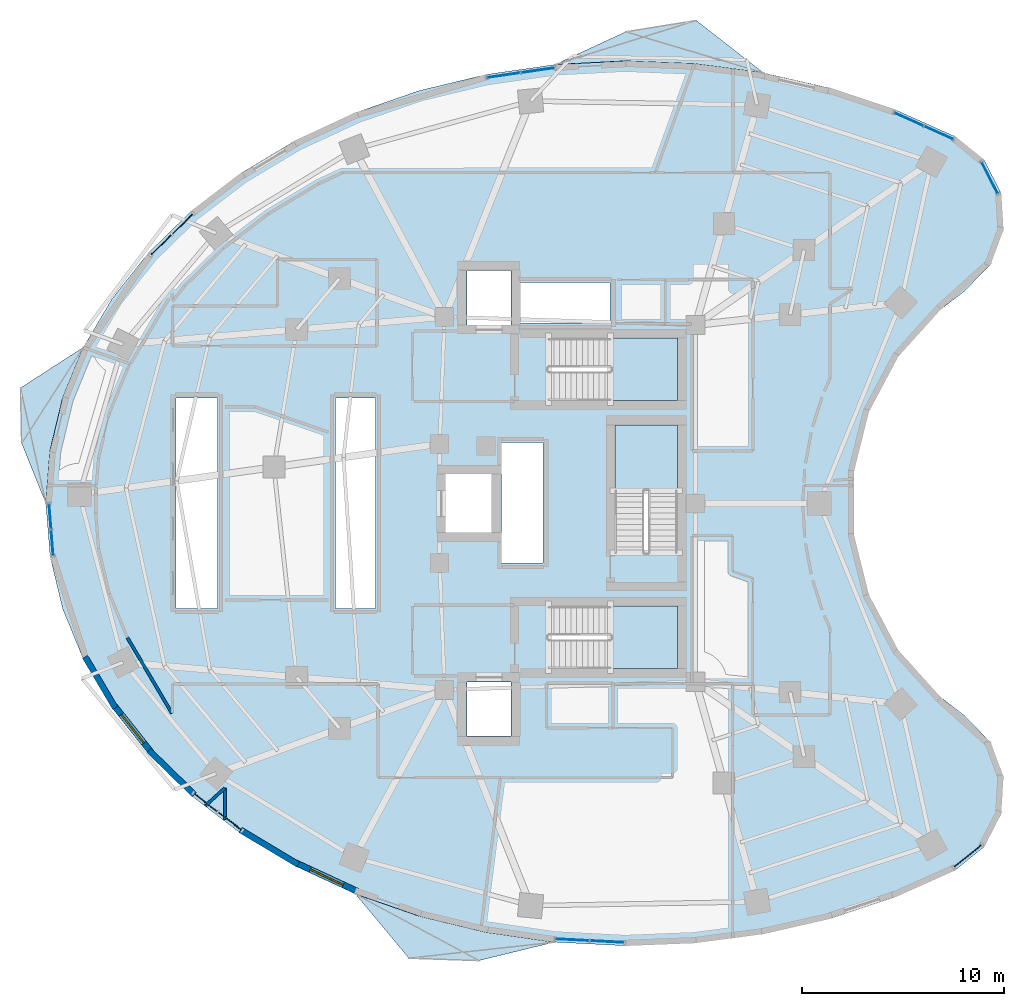
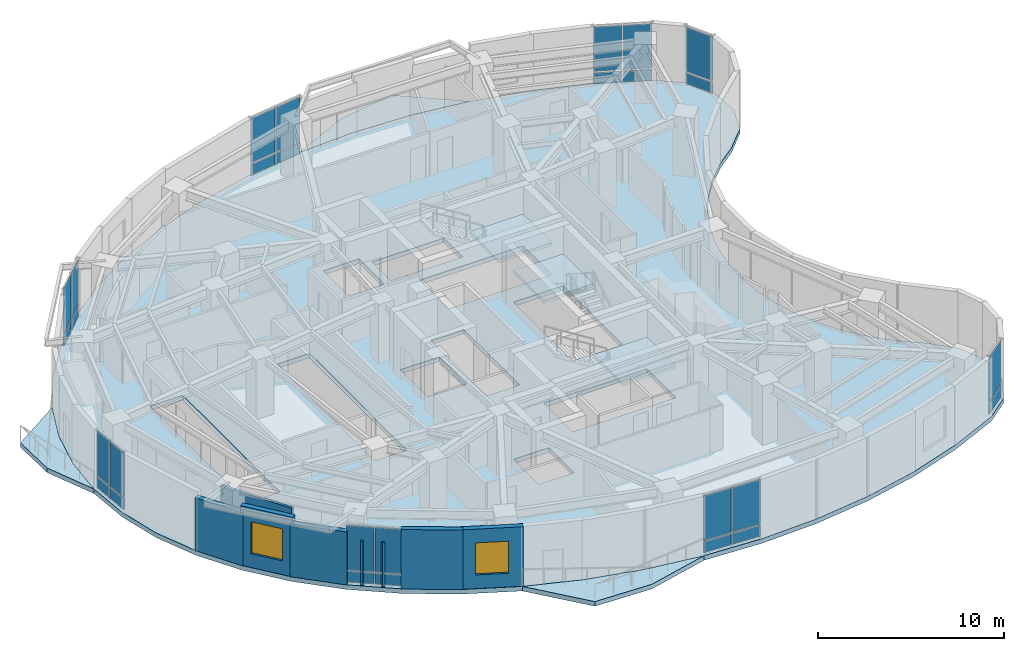
# One storey, part 7 of 15: 28 plates, 8 walls, 7 slabs, 2 windows, 2 openings, 11 elements without a shape of their own.
"""IFC4 building model written with IfcOpenShell, lengths in metres."""

import ifcopenshell
import ifcopenshell.guid

model = None  # the IFC model being written
_history = None  # IfcOwnerHistory: only IFC2X3 demands one
_inside = {}  # id of a spatial element -> (the spatial element, [elements in it])
_under = {}  # id of a project, library or spatial element -> (it, [spatial elements below it])
_declared = {}  # id of a project -> (the project, [libraries it declares])
_typed = {}  # id of a type object -> (the type object, [elements of that type])
_made_of = {}  # id of a material, layer set ... -> (it, [elements and type objects made of it])


def new_model(schema):
    """Start an empty IFC model of exactly this schema.

    Asked for "IFC4X3", IfcOpenShell would pick the latest addendum, in which some entities
    have other attributes; the version numbers below select the first issue.
    IFC2X3 requires an IfcOwnerHistory on every rooted entity: one is made here for all.
    """
    global model, _history
    if schema == "IFC4X3":
        model = ifcopenshell.file(schema_version=(4, 3, 0, 0))
    else:
        model = ifcopenshell.file(schema=schema)
    _inside.clear()
    _under.clear()
    _declared.clear()
    _typed.clear()
    _made_of.clear()
    _history = None
    if model.schema == "IFC2X3":
        org = make("IfcOrganization", Name="unknown")
        user = make(
            "IfcPersonAndOrganization",
            ThePerson=make("IfcPerson", FamilyName="unknown"),
            TheOrganization=org,
        )
        app = make(
            "IfcApplication",
            ApplicationDeveloper=org,
            Version="unknown",
            ApplicationFullName="unknown",
            ApplicationIdentifier="unknown",
        )
        _history = make(
            "IfcOwnerHistory",
            OwningUser=user,
            OwningApplication=app,
            ChangeAction="ADDED",
            CreationDate=0,
        )
    return model


def make(cls, **values):
    """One entity of the class cls with the attributes given. An attribute that is None is left unset."""
    return model.create_entity(
        cls, **{name: value for name, value in values.items() if value is not None}
    )


def rooted(cls, **values):
    """An entity with a GlobalId (a new one), such as an element, a storey or a relation."""
    return make(cls, GlobalId=ifcopenshell.guid.new(), OwnerHistory=_history, **values)


def si_unit(unit_type, name, prefix=None):
    """IfcSIUnit, for example si_unit("LENGTHUNIT", "METRE", prefix="MILLI")."""
    return make("IfcSIUnit", UnitType=unit_type, Prefix=prefix, Name=name)


def assignment(units):
    """IfcUnitAssignment: the units of a project."""
    return None if units is None else make("IfcUnitAssignment", Units=units)


def point(xyz):
    """IfcCartesianPoint."""
    return None if xyz is None else make("IfcCartesianPoint", Coordinates=xyz)


def direction(xyz):
    """IfcDirection."""
    return None if xyz is None else make("IfcDirection", DirectionRatios=xyz)


def frame(location, z_axis=None, x_axis=None):
    """IfcAxis2Placement3D, a coordinate frame: its origin and axes. An axis left out is left unset."""
    return make(
        "IfcAxis2Placement3D",
        Location=point(location),
        Axis=direction(z_axis),
        RefDirection=direction(x_axis),
    )


def frame_2d(location, x_axis=None):
    """IfcAxis2Placement2D, a coordinate frame in the plane: its origin and x axis."""
    return make(
        "IfcAxis2Placement2D", Location=point(location), RefDirection=direction(x_axis)
    )


def origin():
    """The frame at (0, 0, 0) with its axes left unset."""
    return frame((0.0, 0.0, 0.0))


def origin_2d():
    """The frame at (0, 0) in the plane with its x axis left unset."""
    return frame_2d((0.0, 0.0))


def place(relative_to, where):
    """IfcLocalPlacement: puts the frame where relative to a parent placement (None: the world)."""
    return make(
        "IfcLocalPlacement", PlacementRelTo=relative_to, RelativePlacement=where
    )


def context(
    kind, dimensions, precision=None, world=None, true_north=None, identifier=None
):
    """IfcGeometricRepresentationContext, for example the 3D "Model" context."""
    return make(
        "IfcGeometricRepresentationContext",
        ContextIdentifier=identifier,
        ContextType=kind,
        CoordinateSpaceDimension=dimensions,
        Precision=precision,
        WorldCoordinateSystem=world,
        TrueNorth=true_north,
    )


def subcontext(parent, identifier, kind, view, scale=None):
    """IfcGeometricRepresentationSubContext, for example "Body" below "Model"."""
    return make(
        "IfcGeometricRepresentationSubContext",
        ContextIdentifier=identifier,
        ContextType=kind,
        ParentContext=parent,
        TargetScale=scale,
        TargetView=view,
    )


def project(units=None, contexts=None):
    """IfcProject with its units and contexts."""
    return rooted(
        "IfcProject",
        Name="project",
        RepresentationContexts=contexts,
        UnitsInContext=assignment(units),
    )


def spatial(cls, under=None, at=None, **own):
    """A site, building, storey or space (cls), placed at a placement, below another one or the project."""
    s = rooted(cls, ObjectPlacement=at, **own)
    if under is not None:
        _under.setdefault(under.id(), (under, []))[1].append(s)
    return s


def polyline(points):
    """IfcPolyline through the points."""
    return make("IfcPolyline", Points=[point(p) for p in points])


def profile(cls, at=None, kind="AREA", **sizes):
    """A parametric profile (cls). Its sizes go by their IFC names, for example OverallWidth=200.0."""
    return make(cls, ProfileType=kind, Position=at, **sizes)


def rectangle(**sizes):
    """IfcRectangleProfileDef."""
    return profile("IfcRectangleProfileDef", **sizes)


def outline(outer, holes=None, kind="AREA"):
    """IfcArbitraryClosedProfileDef: a profile drawn as a closed curve; with holes, ...WithVoids."""
    if holes is None:
        return make("IfcArbitraryClosedProfileDef", ProfileType=kind, OuterCurve=outer)
    return make(
        "IfcArbitraryProfileDefWithVoids",
        ProfileType=kind,
        OuterCurve=outer,
        InnerCurves=holes,
    )


def extrude(swept, where, along, depth):
    """IfcExtrudedAreaSolid: the profile swept, set in the frame where, extruded along a direction by depth."""
    return make(
        "IfcExtrudedAreaSolid",
        SweptArea=swept,
        Position=where,
        ExtrudedDirection=direction(along),
        Depth=depth,
    )


def shape(context_of_items, identifier, shape_type, items):
    """IfcShapeRepresentation: the items that make up one representation, for example the "Body"."""
    return make(
        "IfcShapeRepresentation",
        ContextOfItems=context_of_items,
        RepresentationIdentifier=identifier,
        RepresentationType=shape_type,
        Items=items,
    )


def material(Name=None, Category=None):
    """IfcMaterial."""
    return make("IfcMaterial", Name=Name, Category=Category)


def layer(
    of_material, thickness, ventilated=None, Name=None, Category=None, Priority=None
):
    """IfcMaterialLayer: one layer of a wall or slab, of a material (None: an air gap)."""
    return make(
        "IfcMaterialLayer",
        Material=of_material,
        LayerThickness=thickness,
        IsVentilated=ventilated,
        Name=Name,
        Category=Category,
        Priority=Priority,
    )


def layer_set(layers, Name=None):
    """IfcMaterialLayerSet."""
    return make("IfcMaterialLayerSet", MaterialLayers=layers, LayerSetName=Name)


def made_of(thing, what):
    """Note that an element or type object is made of a material, layer set ...; save() writes the relation."""
    if what is not None:
        _made_of.setdefault(what.id(), (what, []))[1].append(thing)
    return thing


def type_object(cls, material=None, **own):
    """A type object (cls), such as IfcWallType, which elements share."""
    return made_of(rooted(cls, **own), material)


def element(
    cls,
    number,
    at=None,
    inside=None,
    cuts=None,
    type_object=None,
    material=None,
    context=None,
    identifier="Body",
    shape_type=None,
    held_by="IfcProductDefinitionShape",
    body=None,
    shapes=None,
    **own,
):
    """One element of the class cls, such as IfcWall. Its Tag is "e" and its number.

    at: its placement. inside: the storey or other place that contains it. cuts: it is an
    opening in that element (IfcRelVoidsElement). A single representation is given by context,
    identifier, shape_type and body (its items); several are given by shapes. held_by: the class
    of the entity that holds the representations. save() writes the other relations.
    """
    e = rooted(cls, Tag="e%d" % number, ObjectPlacement=at, **own)
    if body is not None:
        shapes = [shape(context, identifier, shape_type, body)]
    if shapes is not None:
        e.Representation = make(held_by, Representations=shapes)
    if inside is not None:
        _inside.setdefault(inside.id(), (inside, []))[1].append(e)
    if cuts is not None:
        rooted(
            "IfcRelVoidsElement", RelatingBuildingElement=cuts, RelatedOpeningElement=e
        )
    if type_object is not None:
        _typed.setdefault(type_object.id(), (type_object, []))[1].append(e)
    return made_of(e, material)


def fill(opening, filler):
    """IfcRelFillsElement: the door or window that sits in an opening."""
    return rooted(
        "IfcRelFillsElement",
        RelatingOpeningElement=opening,
        RelatedBuildingElement=filler,
    )


def aggregate(whole, parts):
    """IfcRelAggregates: a whole, such as a stair, and the parts it consists of."""
    return rooted("IfcRelAggregates", RelatingObject=whole, RelatedObjects=parts)


def save(model, path):
    """Write the relations noted so far, then the file.

    IfcRelAggregates (storeys below a building ...), IfcRelContainedInSpatialStructure (elements
    in a storey), IfcRelDefinesByType, IfcRelAssociatesMaterial and IfcRelDeclares: one each for
    every whole, place, type object, material and project.
    """
    for whole, parts in _under.values():
        aggregate(whole, parts)
    for where, things in _inside.values():
        rooted(
            "IfcRelContainedInSpatialStructure",
            RelatedElements=things,
            RelatingStructure=where,
        )
    for kind, things in _typed.values():
        rooted("IfcRelDefinesByType", RelatedObjects=things, RelatingType=kind)
    for what, things in _made_of.values():
        rooted("IfcRelAssociatesMaterial", RelatedObjects=things, RelatingMaterial=what)
    for by, libraries in _declared.values():
        rooted("IfcRelDeclares", RelatingContext=by, RelatedDefinitions=libraries)
    model.write(path)


model = new_model("IFC4")

# Units and contexts
model_context = context("Model", 3, precision=1e-05, world=origin(), true_north=direction((0.0, 1.0)))
body_context = subcontext(model_context, "Body", "Model", "MODEL_VIEW")
ifc_project = project(units=[si_unit("LENGTHUNIT", "METRE"), si_unit("AREAUNIT", "SQUARE_METRE"), si_unit("VOLUMEUNIT", "CUBIC_METRE"), si_unit("PLANEANGLEUNIT", "RADIAN"), si_unit("MASSUNIT", "GRAM", prefix="KILO")], contexts=[model_context])

# Site, building, storey
site_placement = place(None, origin())
site = spatial("IfcSite", under=ifc_project, at=site_placement, CompositionType="ELEMENT")
building_placement = place(site_placement, origin())
building = spatial("IfcBuilding", under=site, at=building_placement, Name="Korentha Bioscience Tower", CompositionType="ELEMENT")
storey_placement = place(building_placement, frame((0.0, 0.0, 127.800048828125)))
storey = spatial("IfcBuildingStorey", under=building, at=storey_placement, Name="L29", CompositionType="ELEMENT", Elevation=127.800048828125)

# Curtain wall, plates
ifc_material_1 = material(Name="Thermally Broken Aluminium Frame", Category="aluminium")
ifc_layer_1 = layer(ifc_material_1, 0.219970703125, Name="Thermally Broken Aluminium Frame")
ifc_layer_set_1 = layer_set([ifc_layer_1], Name="Thermally Broken Aluminium Frame (CW-T1)")
curtain_wall_type = type_object("IfcCurtainWallType", Name="Standard Bioscience Lab Unitised Curtain Wall CW-T1", PredefinedType="USERDEFINED", material=ifc_layer_set_1)
curtain_wall_1_placement = place(storey_placement, origin())
curtain_wall_1 = element("IfcCurtainWall", 1, at=curtain_wall_1_placement, inside=storey, type_object=curtain_wall_type, Name="L29 Curtain Wall 01", ObjectType="UNITISED", PredefinedType="USERDEFINED")
ifc_material_2 = material(Name="Triple-Glazed Low-E Insulated Glass", Category="glass")
ifc_layer_2 = layer(ifc_material_2, 0.0439453125, Name="Triple-Glazed Low-E Insulated Glass")
ifc_layer_set_2 = layer_set([ifc_layer_2], Name="Triple-Glazed Low-E Insulated Glass (GL-44)")
plate_type = type_object("IfcPlateType", Name="Glazed Panel 44mm", PredefinedType="CURTAIN_PANEL", material=ifc_layer_set_2)
plate_1_placement = place(storey_placement, frame((49.61767578125, 45.385986328125, 0.08984375), z_axis=(0.0, 0.0, 1.0), x_axis=(-0.912686563127, 0.408660295952, 0.0)))
plate_1 = element("IfcPlate", 2, at=plate_1_placement, type_object=plate_type, Name="CW-L29-01 Bay 1 Glazed Panel 1", PredefinedType="CURTAIN_PANEL", context=body_context, shape_type="SweptSolid", body=[
    extrude(rectangle(XDim=1.54541015625, YDim=0.0439453125, at=origin_2d()), origin(), (0.0, 0.0, 1.0), 0.715087890625),
])
plate_2_placement = place(storey_placement, frame((49.61767578125, 45.385986328125, 0.89501953125), z_axis=(0.0, 0.0, 1.0), x_axis=(-0.912686563127, 0.408660295952, 0.0)))
plate_2 = element("IfcPlate", 3, at=plate_2_placement, type_object=plate_type, Name="CW-L29-01 Bay 1 Glazed Panel 2", PredefinedType="CURTAIN_PANEL", context=body_context, shape_type="SweptSolid", body=[
    extrude(rectangle(XDim=1.54541015625, YDim=0.0439453125, at=origin_2d()), origin(), (0.0, 0.0, 1.0), 2.9150390625),
])
plate_3_placement = place(storey_placement, frame((48.125, 46.05419921875, 0.08984375), z_axis=(0.0, 0.0, 1.0), x_axis=(-0.912686563127, 0.408660295952, 0.0)))
plate_3 = element("IfcPlate", 4, at=plate_3_placement, type_object=plate_type, Name="CW-L29-01 Bay 2 Glazed Panel 1", PredefinedType="CURTAIN_PANEL", context=body_context, shape_type="SweptSolid", body=[
    extrude(rectangle(XDim=1.54541015625, YDim=0.0439453125, at=origin_2d()), origin(), (0.0, 0.0, 1.0), 0.715087890625),
])
plate_4_placement = place(storey_placement, frame((48.125, 46.05419921875, 0.89501953125), z_axis=(0.0, 0.0, 1.0), x_axis=(-0.912686563127, 0.408660295952, 0.0)))
plate_4 = element("IfcPlate", 5, at=plate_4_placement, type_object=plate_type, Name="CW-L29-01 Bay 2 Glazed Panel 2", PredefinedType="CURTAIN_PANEL", context=body_context, shape_type="SweptSolid", body=[
    extrude(rectangle(XDim=1.54541015625, YDim=0.0439453125, at=origin_2d()), origin(), (0.0, 0.0, 1.0), 2.9150390625),
])
aggregate(curtain_wall_1, [plate_1, plate_2, plate_3, plate_4])

curtain_wall_2_placement = place(storey_placement, origin())
curtain_wall_2 = element("IfcCurtainWall", 6, at=curtain_wall_2_placement, inside=storey, type_object=curtain_wall_type, Name="L29 Curtain Wall 07", ObjectType="UNITISED", PredefinedType="USERDEFINED")
plate_5_placement = place(storey_placement, frame((29.724853515625, 48.486328125, 0.08984375), z_axis=(0.0, 0.0, 1.0), x_axis=(-0.989738282326, -0.14289203091, 0.0)))
plate_5 = element("IfcPlate", 7, at=plate_5_placement, type_object=plate_type, Name="CW-L29-07 Bay 1 Glazed Panel 1", PredefinedType="CURTAIN_PANEL", context=body_context, shape_type="SweptSolid", body=[
    extrude(rectangle(XDim=1.630615234375, YDim=0.0439453125, at=origin_2d()), origin(), (0.0, 0.0, 1.0), 0.715087890625),
])
plate_6_placement = place(storey_placement, frame((29.724853515625, 48.486328125, 0.89501953125), z_axis=(0.0, 0.0, 1.0), x_axis=(-0.989738282326, -0.14289203091, 0.0)))
plate_6 = element("IfcPlate", 8, at=plate_6_placement, type_object=plate_type, Name="CW-L29-07 Bay 1 Glazed Panel 2", PredefinedType="CURTAIN_PANEL", context=body_context, shape_type="SweptSolid", body=[
    extrude(rectangle(XDim=1.630615234375, YDim=0.0439453125, at=origin_2d()), origin(), (0.0, 0.0, 1.0), 2.9150390625),
])
plate_7_placement = place(storey_placement, frame((28.021728515625, 48.240478515625, 0.08984375), z_axis=(0.0, 0.0, 1.0), x_axis=(-0.989738282326, -0.14289203091, 0.0)))
plate_7 = element("IfcPlate", 9, at=plate_7_placement, type_object=plate_type, Name="CW-L29-07 Bay 2 Glazed Panel 1", PredefinedType="CURTAIN_PANEL", context=body_context, shape_type="SweptSolid", body=[
    extrude(rectangle(XDim=1.630615234375, YDim=0.0439453125, at=origin_2d()), origin(), (0.0, 0.0, 1.0), 0.715087890625),
])
plate_8_placement = place(storey_placement, frame((28.021728515625, 48.240478515625, 0.89501953125), z_axis=(0.0, 0.0, 1.0), x_axis=(-0.989738282326, -0.14289203091, 0.0)))
plate_8 = element("IfcPlate", 10, at=plate_8_placement, type_object=plate_type, Name="CW-L29-07 Bay 2 Glazed Panel 2", PredefinedType="CURTAIN_PANEL", context=body_context, shape_type="SweptSolid", body=[
    extrude(rectangle(XDim=1.630615234375, YDim=0.0439453125, at=origin_2d()), origin(), (0.0, 0.0, 1.0), 2.9150390625),
])
aggregate(curtain_wall_2, [plate_5, plate_6, plate_7, plate_8])

curtain_wall_3_placement = place(storey_placement, origin())
curtain_wall_3 = element("IfcCurtainWall", 11, at=curtain_wall_3_placement, inside=storey, type_object=curtain_wall_type, Name="L29 Curtain Wall 13", ObjectType="UNITISED", PredefinedType="USERDEFINED")
plate_9_placement = place(storey_placement, frame((12.09912109375, 40.858642578125, 0.08984375), z_axis=(0.0, 0.0, 1.0), x_axis=(-0.716095631804, -0.698002182025, 0.0)))
plate_9 = element("IfcPlate", 12, at=plate_9_placement, type_object=plate_type, Name="CW-L29-13 Bay 1 Glazed Panel 1", PredefinedType="CURTAIN_PANEL", context=body_context, shape_type="SweptSolid", body=[
    extrude(rectangle(XDim=1.39599609375, YDim=0.0439453125, at=origin_2d()), origin(), (0.0, 0.0, 1.0), 0.715087890625),
])
plate_10_placement = place(storey_placement, frame((12.09912109375, 40.858642578125, 0.89501953125), z_axis=(0.0, 0.0, 1.0), x_axis=(-0.716095631804, -0.698002182025, 0.0)))
plate_10 = element("IfcPlate", 13, at=plate_10_placement, type_object=plate_type, Name="CW-L29-13 Bay 1 Glazed Panel 2", PredefinedType="CURTAIN_PANEL", context=body_context, shape_type="SweptSolid", body=[
    extrude(rectangle(XDim=1.39599609375, YDim=0.0439453125, at=origin_2d()), origin(), (0.0, 0.0, 1.0), 2.9150390625),
])
plate_11_placement = place(storey_placement, frame((11.034912109375, 39.8212890625, 0.08984375), z_axis=(0.0, 0.0, 1.0), x_axis=(-0.716095631804, -0.698002182025, 0.0)))
plate_11 = element("IfcPlate", 14, at=plate_11_placement, type_object=plate_type, Name="CW-L29-13 Bay 2 Glazed Panel 1", PredefinedType="CURTAIN_PANEL", context=body_context, shape_type="SweptSolid", body=[
    extrude(rectangle(XDim=1.39599609375, YDim=0.0439453125, at=origin_2d()), origin(), (0.0, 0.0, 1.0), 0.715087890625),
])
plate_12_placement = place(storey_placement, frame((11.034912109375, 39.8212890625, 0.89501953125), z_axis=(0.0, 0.0, 1.0), x_axis=(-0.716095631804, -0.698002182025, 0.0)))
plate_12 = element("IfcPlate", 15, at=plate_12_placement, type_object=plate_type, Name="CW-L29-13 Bay 2 Glazed Panel 2", PredefinedType="CURTAIN_PANEL", context=body_context, shape_type="SweptSolid", body=[
    extrude(rectangle(XDim=1.39599609375, YDim=0.0439453125, at=origin_2d()), origin(), (0.0, 0.0, 1.0), 2.9150390625),
])
aggregate(curtain_wall_3, [plate_9, plate_10, plate_11, plate_12])

curtain_wall_4_placement = place(storey_placement, origin())
curtain_wall_4 = element("IfcCurtainWall", 16, at=curtain_wall_4_placement, inside=storey, type_object=curtain_wall_type, Name="L29 Curtain Wall 19", ObjectType="UNITISED", PredefinedType="USERDEFINED")
plate_13_placement = place(storey_placement, frame((5.52587890625, 26.35205078125, 0.08984375), z_axis=(0.0, 0.0, 1.0), x_axis=(0.079130214674, -0.996864288219, 0.0)))
plate_13 = element("IfcPlate", 17, at=plate_13_placement, type_object=plate_type, Name="CW-L29-19 Bay 1 Glazed Panel 1", PredefinedType="CURTAIN_PANEL", context=body_context, shape_type="SweptSolid", body=[
    extrude(rectangle(XDim=1.225341796875, YDim=0.0439453125, at=origin_2d()), origin(), (0.0, 0.0, 1.0), 0.715087890625),
])
plate_14_placement = place(storey_placement, frame((5.52587890625, 26.35205078125, 0.89501953125), z_axis=(0.0, 0.0, 1.0), x_axis=(0.079130214674, -0.996864288219, 0.0)))
plate_14 = element("IfcPlate", 18, at=plate_14_placement, type_object=plate_type, Name="CW-L29-19 Bay 1 Glazed Panel 2", PredefinedType="CURTAIN_PANEL", context=body_context, shape_type="SweptSolid", body=[
    extrude(rectangle(XDim=1.225341796875, YDim=0.0439453125, at=origin_2d()), origin(), (0.0, 0.0, 1.0), 2.9150390625),
])
plate_15_placement = place(storey_placement, frame((5.6298828125, 25.040771484375, 0.08984375), z_axis=(0.0, 0.0, 1.0), x_axis=(0.079130214674, -0.996864288219, 0.0)))
plate_15 = element("IfcPlate", 19, at=plate_15_placement, type_object=plate_type, Name="CW-L29-19 Bay 2 Glazed Panel 1", PredefinedType="CURTAIN_PANEL", context=body_context, shape_type="SweptSolid", body=[
    extrude(rectangle(XDim=1.225341796875, YDim=0.0439453125, at=origin_2d()), origin(), (0.0, 0.0, 1.0), 0.715087890625),
])
plate_16_placement = place(storey_placement, frame((5.6298828125, 25.040771484375, 0.89501953125), z_axis=(0.0, 0.0, 1.0), x_axis=(0.079130214674, -0.996864288219, 0.0)))
plate_16 = element("IfcPlate", 20, at=plate_16_placement, type_object=plate_type, Name="CW-L29-19 Bay 2 Glazed Panel 2", PredefinedType="CURTAIN_PANEL", context=body_context, shape_type="SweptSolid", body=[
    extrude(rectangle(XDim=1.225341796875, YDim=0.0439453125, at=origin_2d()), origin(), (0.0, 0.0, 1.0), 2.9150390625),
])
aggregate(curtain_wall_4, [plate_13, plate_14, plate_15, plate_16])

curtain_wall_5_placement = place(storey_placement, origin())
curtain_wall_5 = element("IfcCurtainWall", 21, at=curtain_wall_5_placement, inside=storey, type_object=curtain_wall_type, Name="L29 Curtain Wall 25", ObjectType="UNITISED", PredefinedType="USERDEFINED")
plate_17_placement = place(storey_placement, frame((13.234619140625, 12.162353515625, 0.08984375), z_axis=(0.0, 0.0, 1.0), x_axis=(0.794499603893, -0.607264669986, 0.0)))
plate_17 = element("IfcPlate", 22, at=plate_17_placement, type_object=plate_type, Name="CW-L29-25 Bay 1 Glazed Panel 1", PredefinedType="CURTAIN_PANEL", context=body_context, shape_type="SweptSolid", body=[
    extrude(rectangle(XDim=1.4462890625, YDim=0.0439453125, at=origin_2d()), origin(), (0.0, 0.0, 1.0), 0.715087890625),
])
plate_18_placement = place(storey_placement, frame((13.234619140625, 12.162353515625, 0.89501953125), z_axis=(0.0, 0.0, 1.0), x_axis=(0.794499603893, -0.607264669986, 0.0)))
plate_18 = element("IfcPlate", 23, at=plate_18_placement, type_object=plate_type, Name="CW-L29-25 Bay 1 Glazed Panel 2", PredefinedType="CURTAIN_PANEL", context=body_context, shape_type="SweptSolid", body=[
    extrude(rectangle(XDim=1.4462890625, YDim=0.0439453125, at=origin_2d()), origin(), (0.0, 0.0, 1.0), 2.9150390625),
])
plate_19_placement = place(storey_placement, frame((14.455078125, 11.229248046875, 0.08984375), z_axis=(0.0, 0.0, 1.0), x_axis=(0.794499603893, -0.607264669986, 0.0)))
plate_19 = element("IfcPlate", 24, at=plate_19_placement, type_object=plate_type, Name="CW-L29-25 Bay 2 Glazed Panel 1", PredefinedType="CURTAIN_PANEL", context=body_context, shape_type="SweptSolid", body=[
    extrude(rectangle(XDim=1.4462890625, YDim=0.0439453125, at=origin_2d()), origin(), (0.0, 0.0, 1.0), 0.715087890625),
])
plate_20_placement = place(storey_placement, frame((14.455078125, 11.229248046875, 0.89501953125), z_axis=(0.0, 0.0, 1.0), x_axis=(0.794499603893, -0.607264669986, 0.0)))
plate_20 = element("IfcPlate", 25, at=plate_20_placement, type_object=plate_type, Name="CW-L29-25 Bay 2 Glazed Panel 2", PredefinedType="CURTAIN_PANEL", context=body_context, shape_type="SweptSolid", body=[
    extrude(rectangle(XDim=1.4462890625, YDim=0.0439453125, at=origin_2d()), origin(), (0.0, 0.0, 1.0), 2.9150390625),
])
aggregate(curtain_wall_5, [plate_17, plate_18, plate_19, plate_20])

curtain_wall_6_placement = place(storey_placement, origin())
curtain_wall_6 = element("IfcCurtainWall", 26, at=curtain_wall_6_placement, inside=storey, type_object=curtain_wall_type, Name="L29 Curtain Wall 31", ObjectType="UNITISED", PredefinedType="USERDEFINED")
plate_21_placement = place(storey_placement, frame((31.436279296875, 5.346435546875, 0.08984375), z_axis=(0.0, 0.0, 1.0), x_axis=(0.998673231344, -0.051495407527, 0.0)))
plate_21 = element("IfcPlate", 27, at=plate_21_placement, type_object=plate_type, Name="CW-L29-31 Bay 1 Glazed Panel 1", PredefinedType="CURTAIN_PANEL", context=body_context, shape_type="SweptSolid", body=[
    extrude(rectangle(XDim=1.641845703125, YDim=0.0439453125, at=origin_2d()), origin(), (0.0, 0.0, 1.0), 0.715087890625),
])
plate_22_placement = place(storey_placement, frame((31.436279296875, 5.346435546875, 0.89501953125), z_axis=(0.0, 0.0, 1.0), x_axis=(0.998673231344, -0.051495407527, 0.0)))
plate_22 = element("IfcPlate", 28, at=plate_22_placement, type_object=plate_type, Name="CW-L29-31 Bay 1 Glazed Panel 2", PredefinedType="CURTAIN_PANEL", context=body_context, shape_type="SweptSolid", body=[
    extrude(rectangle(XDim=1.641845703125, YDim=0.0439453125, at=origin_2d()), origin(), (0.0, 0.0, 1.0), 2.9150390625),
])
plate_23_placement = place(storey_placement, frame((33.166015625, 5.25732421875, 0.08984375), z_axis=(0.0, 0.0, 1.0), x_axis=(0.998673231344, -0.051495407527, 0.0)))
plate_23 = element("IfcPlate", 29, at=plate_23_placement, type_object=plate_type, Name="CW-L29-31 Bay 2 Glazed Panel 1", PredefinedType="CURTAIN_PANEL", context=body_context, shape_type="SweptSolid", body=[
    extrude(rectangle(XDim=1.641845703125, YDim=0.0439453125, at=origin_2d()), origin(), (0.0, 0.0, 1.0), 0.715087890625),
])
plate_24_placement = place(storey_placement, frame((33.166015625, 5.25732421875, 0.89501953125), z_axis=(0.0, 0.0, 1.0), x_axis=(0.998673231344, -0.051495407527, 0.0)))
plate_24 = element("IfcPlate", 30, at=plate_24_placement, type_object=plate_type, Name="CW-L29-31 Bay 2 Glazed Panel 2", PredefinedType="CURTAIN_PANEL", context=body_context, shape_type="SweptSolid", body=[
    extrude(rectangle(XDim=1.641845703125, YDim=0.0439453125, at=origin_2d()), origin(), (0.0, 0.0, 1.0), 2.9150390625),
])
aggregate(curtain_wall_6, [plate_21, plate_22, plate_23, plate_24])

curtain_wall_7_placement = place(storey_placement, origin())
curtain_wall_7 = element("IfcCurtainWall", 31, at=curtain_wall_7_placement, inside=storey, type_object=curtain_wall_type, Name="L29 Curtain Wall 37", ObjectType="UNITISED", PredefinedType="USERDEFINED")
plate_25_placement = place(storey_placement, frame((51.04736328125, 9.506591796875, 0.08984375), z_axis=(0.0, 0.0, 1.0), x_axis=(0.777315301098, 0.629111216463, 0.0)))
plate_25 = element("IfcPlate", 32, at=plate_25_placement, type_object=plate_type, Name="CW-L29-37 Bay 1 Glazed Panel 1", PredefinedType="CURTAIN_PANEL", context=body_context, shape_type="SweptSolid", body=[
    extrude(rectangle(XDim=1.737548828125, YDim=0.0439453125, at=origin_2d()), origin(), (0.0, 0.0, 1.0), 0.715087890625),
])
plate_26_placement = place(storey_placement, frame((51.04736328125, 9.506591796875, 0.89501953125), z_axis=(0.0, 0.0, 1.0), x_axis=(0.777315301098, 0.629111216463, 0.0)))
plate_26 = element("IfcPlate", 33, at=plate_26_placement, type_object=plate_type, Name="CW-L29-37 Bay 1 Glazed Panel 2", PredefinedType="CURTAIN_PANEL", context=body_context, shape_type="SweptSolid", body=[
    extrude(rectangle(XDim=1.737548828125, YDim=0.0439453125, at=origin_2d()), origin(), (0.0, 0.0, 1.0), 2.9150390625),
])
aggregate(curtain_wall_7, [plate_25, plate_26])

curtain_wall_8_placement = place(storey_placement, origin())
curtain_wall_8 = element("IfcCurtainWall", 34, at=curtain_wall_8_placement, inside=storey, type_object=curtain_wall_type, Name="L29 Curtain Wall 61", ObjectType="UNITISED", PredefinedType="USERDEFINED")
plate_27_placement = place(storey_placement, frame((52.140380859375, 43.149658203125, 0.08984375), z_axis=(0.0, 0.0, 1.0), x_axis=(-0.457613117169, 0.889151412862, 0.0)))
plate_27 = element("IfcPlate", 35, at=plate_27_placement, type_object=plate_type, Name="CW-L29-61 Bay 1 Glazed Panel 1", PredefinedType="CURTAIN_PANEL", context=body_context, shape_type="SweptSolid", body=[
    extrude(rectangle(XDim=1.737548828125, YDim=0.0439453125, at=origin_2d()), origin(), (0.0, 0.0, 1.0), 0.715087890625),
])
plate_28_placement = place(storey_placement, frame((52.140380859375, 43.149658203125, 0.89501953125), z_axis=(0.0, 0.0, 1.0), x_axis=(-0.457613117169, 0.889151412862, 0.0)))
plate_28 = element("IfcPlate", 36, at=plate_28_placement, type_object=plate_type, Name="CW-L29-61 Bay 1 Glazed Panel 2", PredefinedType="CURTAIN_PANEL", context=body_context, shape_type="SweptSolid", body=[
    extrude(rectangle(XDim=1.737548828125, YDim=0.0439453125, at=origin_2d()), origin(), (0.0, 0.0, 1.0), 2.9150390625),
])
aggregate(curtain_wall_8, [plate_27, plate_28])

# Slab
ifc_material_3 = material(Name="Concrete C50", Category="concrete")
ifc_layer_3 = layer(ifc_material_3, 0.300048828125, Name="Concrete C50")
ifc_layer_set_3 = layer_set([ifc_layer_3], Name="Concrete C50 (SL-L300)")
slab_type_1 = type_object("IfcSlabType", Name="Laboratory Vibration-Controlled Slab 300", PredefinedType="FLOOR", material=ifc_layer_set_3)
slab_1_placement = place(storey_placement, frame((0.0, 0.0, -0.300048828125)))
element("IfcSlab", 37, at=slab_1_placement, inside=storey, type_object=slab_type_1, Name="L29 Tower Structural Floor Slab", PredefinedType="FLOOR", context=body_context, shape_type="SweptSolid", body=[
    extrude(outline(polyline([(50.433837890625, 45.19580078125), (47.439697265625, 46.53662109375), (44.2548828125, 47.59521484375), (40.925537109375, 48.3564453125), (37.5, 48.809326171875), (34.027587890625, 48.947265625), (30.558349609375, 48.7685546875), (27.142333984375, 48.275390625), (23.8291015625, 47.474853515625), (20.66650390625, 46.37890625), (17.69970703125, 45.003173828125), (14.972412109375, 43.367431640625), (12.52294921875, 41.495361328125), (10.3876953125, 39.413818359375), (8.5966796875, 37.1533203125), (7.17626953125, 34.74609375), (6.146484375, 32.22705078125), (5.52294921875, 29.632568359375), (5.31396484375, 27.0), (5.52294921875, 24.367431640625), (6.146484375, 21.77294921875), (7.17626953125, 19.25390625), (8.5966796875, 16.8466796875), (10.3876953125, 14.586181640625), (12.52294921875, 12.504638671875), (14.972412109375, 10.632568359375), (17.69970703125, 8.996826171875), (20.66650390625, 7.62109375), (23.8291015625, 6.525146484375), (27.142333984375, 5.724609375), (30.558349609375, 5.2314453125), (34.027587890625, 5.052734375), (37.5, 5.190673828125), (40.925537109375, 5.6435546875), (44.2548828125, 6.40478515625), (47.439697265625, 7.46337890625), (50.433837890625, 8.80419921875), (51.8623046875, 9.960205078125), (52.703125, 11.593994140625), (52.813720703125, 13.42822265625), (52.175537109375, 15.1513671875), (50.896484375, 16.470703125), (49.666259765625, 17.414794921875), (48.560302734375, 18.501708984375), (47.594970703125, 19.715087890625), (46.78466796875, 21.037353515625), (46.1416015625, 22.448486328125), (45.67529296875, 23.927490234375), (45.392578125, 25.4521484375), (45.298095703125, 27.0), (45.392578125, 28.5478515625), (45.67529296875, 30.072509765625), (46.1416015625, 31.551513671875), (46.78466796875, 32.962646484375), (47.594970703125, 34.284912109375), (48.560302734375, 35.498291015625), (49.666259765625, 36.585205078125), (50.896484375, 37.529296875), (52.175537109375, 38.8486328125), (52.813720703125, 40.57177734375), (52.703125, 42.406005859375), (51.8623046875, 44.039794921875), (50.433837890625, 45.19580078125)]), holes=[polyline([(30.25, 32.10009765625), (36.64990234375, 32.10009765625), (36.64990234375, 35.199951171875), (30.25, 35.199951171875), (30.25, 32.10009765625)]), polyline([(30.25, 18.800048828125), (36.64990234375, 18.800048828125), (36.64990234375, 21.89990234375), (30.25, 21.89990234375), (30.25, 18.800048828125)]), polyline([(36.64990234375, 24.550048828125), (36.64990234375, 30.89990234375), (33.550048828125, 30.89990234375), (33.550048828125, 24.550048828125), (36.64990234375, 24.550048828125)]), polyline([(11.780029296875, 21.780029296875), (13.820068359375, 21.780029296875), (13.820068359375, 32.219970703125), (11.780029296875, 32.219970703125), (11.780029296875, 21.780029296875)]), polyline([(19.679931640625, 21.780029296875), (21.669921875, 21.780029296875), (21.669921875, 32.219970703125), (19.679931640625, 32.219970703125), (19.679931640625, 21.780029296875)]), polyline([(27.929931640625, 24.030029296875), (29.969970703125, 24.030029296875), (29.969970703125, 30.02001953125), (27.929931640625, 30.02001953125), (27.929931640625, 24.030029296875)]), polyline([(28.860107421875, 35.93994140625), (33.31005859375, 35.93994140625), (33.31005859375, 37.9599609375), (28.860107421875, 37.9599609375), (28.860107421875, 35.93994140625)]), polyline([(26.199951171875, 15.449951171875), (28.39990234375, 15.449951171875), (28.39990234375, 18.14990234375), (26.199951171875, 18.14990234375), (26.199951171875, 15.449951171875)]), polyline([(26.199951171875, 35.85009765625), (28.39990234375, 35.85009765625), (28.39990234375, 38.550048828125), (26.199951171875, 38.550048828125), (26.199951171875, 35.85009765625)]), polyline([(25.14990234375, 25.550048828125), (27.550048828125, 25.550048828125), (27.550048828125, 28.449951171875), (25.14990234375, 28.449951171875), (25.14990234375, 25.550048828125)])]), origin(), (0.0, 0.0, 1.0), 0.300048828125),
])

# Stair, slab
ifc_material_4 = material(Name="Precast Concrete C50", Category="concrete")
stair_type = type_object("IfcStairType", Name="Core Exit Dog-Leg Stair 1450", PredefinedType="HALF_TURN_STAIR", material=ifc_material_4)
stair_1_placement = place(storey_placement, origin())
stair_1 = element("IfcStair", 38, at=stair_1_placement, inside=storey, type_object=stair_type, Name="L29 Tower North Pressurized Exit Stair ST-1", PredefinedType="HALF_TURN_STAIR")
ifc_layer_4 = layer(ifc_material_3, 0.199951171875, Name="Concrete C50")
ifc_layer_set_4 = layer_set([ifc_layer_4], Name="Concrete C50 (SL-LND)")
slab_type_2 = type_object("IfcSlabType", Name="Landing Slab 200", PredefinedType="LANDING", material=ifc_layer_set_4)
slab_2_placement = place(storey_placement, frame((0.0, 0.0, 1.89990234375)))
slab_2 = element("IfcSlab", 39, at=slab_2_placement, type_object=slab_type_2, Name="ST-1 landing 1", PredefinedType="LANDING", context=body_context, shape_type="SweptSolid", body=[
    extrude(outline(polyline([(33.330078125, 32.10009765625), (36.64990234375, 32.10009765625), (36.64990234375, 35.199951171875), (33.330078125, 35.199951171875), (33.330078125, 32.10009765625)])), origin(), (0.0, 0.0, 1.0), 0.199951171875),
])
aggregate(stair_1, [slab_2])

stair_2_placement = place(storey_placement, origin())
stair_2 = element("IfcStair", 40, at=stair_2_placement, inside=storey, type_object=stair_type, Name="L29 Tower South Pressurized Exit Stair ST-2", PredefinedType="HALF_TURN_STAIR")
slab_3_placement = place(storey_placement, frame((0.0, 0.0, 1.89990234375)))
slab_3 = element("IfcSlab", 41, at=slab_3_placement, type_object=slab_type_2, Name="ST-2 landing 1", PredefinedType="LANDING", context=body_context, shape_type="SweptSolid", body=[
    extrude(outline(polyline([(33.330078125, 18.800048828125), (36.64990234375, 18.800048828125), (36.64990234375, 21.89990234375), (33.330078125, 21.89990234375), (33.330078125, 18.800048828125)])), origin(), (0.0, 0.0, 1.0), 0.199951171875),
])
aggregate(stair_2, [slab_3])

stair_3_placement = place(storey_placement, origin())
stair_3 = element("IfcStair", 42, at=stair_3_placement, inside=storey, type_object=stair_type, Name="L29 Tower Central Pressurized Exit Stair ST-3", PredefinedType="HALF_TURN_STAIR")
slab_4_placement = place(storey_placement, frame((0.0, 0.0, 1.89990234375)))
slab_4 = element("IfcSlab", 43, at=slab_4_placement, type_object=slab_type_2, Name="ST-3 landing 1", PredefinedType="LANDING", context=body_context, shape_type="SweptSolid", body=[
    extrude(outline(polyline([(36.64990234375, 27.6298828125), (36.64990234375, 30.89990234375), (33.550048828125, 30.89990234375), (33.550048828125, 27.6298828125), (36.64990234375, 27.6298828125)])), origin(), (0.0, 0.0, 1.0), 0.199951171875),
])
aggregate(stair_3, [slab_4])

# Slabs
ifc_layer_5 = layer(ifc_material_3, 0.300048828125, Name="Concrete C50")
ifc_layer_set_5 = layer_set([ifc_layer_5], Name="Concrete C50 (BS-240)")
slab_type_3 = type_object("IfcSlabType", Name="Sawtooth Sun-Ledge Balcony Slab 240", PredefinedType="USERDEFINED", material=ifc_layer_set_5)
slab_5_placement = place(storey_placement, frame((0.0, 0.0, -0.300048828125)))
element("IfcSlab", 44, at=slab_5_placement, inside=storey, type_object=slab_type_3, Name="L29 Sun-Ledge Balcony 01", ObjectType="BALCONY", PredefinedType="USERDEFINED", context=body_context, shape_type="SweptSolid", body=[
    extrude(outline(polyline([(30.558349609375, 48.7685546875), (34.027587890625, 48.947265625), (37.5, 48.809326171875), (40.925537109375, 48.3564453125), (37.58544921875, 50.95751953125), (34.085205078125, 50.396240234375), (30.558349609375, 48.7685546875)])), origin(), (0.0, 0.0, 1.0), 0.300048828125),
])
slab_6_placement = place(storey_placement, frame((0.0, 0.0, -0.300048828125)))
element("IfcSlab", 45, at=slab_6_placement, inside=storey, type_object=slab_type_3, Name="L29 Sun-Ledge Balcony 02", ObjectType="BALCONY", PredefinedType="USERDEFINED", context=body_context, shape_type="SweptSolid", body=[
    extrude(outline(polyline([(5.31396484375, 27.0), (5.52294921875, 29.632568359375), (6.146484375, 32.22705078125), (7.17626953125, 34.74609375), (4.05615234375, 32.729736328125), (4.113037109375, 29.971435546875), (5.31396484375, 27.0)])), origin(), (0.0, 0.0, 1.0), 0.300048828125),
])
slab_7_placement = place(storey_placement, frame((0.0, 0.0, -0.300048828125)))
element("IfcSlab", 46, at=slab_7_placement, inside=storey, type_object=slab_type_3, Name="L29 Sun-Ledge Balcony 03", ObjectType="BALCONY", PredefinedType="USERDEFINED", context=body_context, shape_type="SweptSolid", body=[
    extrude(outline(polyline([(30.558349609375, 5.2314453125), (27.142333984375, 5.724609375), (23.8291015625, 6.525146484375), (20.66650390625, 7.62109375), (23.32421875, 4.435302734375), (26.802001953125, 4.315185546875), (30.558349609375, 5.2314453125)])), origin(), (0.0, 0.0, 1.0), 0.300048828125),
])

# Walls
ifc_material_5 = material(Name="Double-Stud Acoustic Gypsum", Category="gypsum")
ifc_layer_6 = layer(ifc_material_5, 0.14990234375, Name="Double-Stud Acoustic Gypsum")
ifc_layer_set_6 = layer_set([ifc_layer_6], Name="Double-Stud Acoustic Gypsum (IW-L150)")
wall_type_1 = type_object("IfcWallType", Name="Acoustic Laboratory Partition Wall 150", PredefinedType="PARTITIONING", material=ifc_layer_set_6)
wall_1_placement = place(storey_placement, frame((9.359130859375, 20.336181640625, 0.0), z_axis=(0.0, 0.0, 1.0), x_axis=(0.508164254342, -0.86126017591, 0.0)))
element("IfcWall", 47, at=wall_1_placement, inside=storey, type_object=wall_type_1, Name="L29 Interior Partition 027", PredefinedType="PARTITIONING", context=body_context, shape_type="SweptSolid", body=[
    extrude(rectangle(XDim=4.353271484375, YDim=0.14990234375, at=frame_2d((2.1767578125, 0.0))), origin(), (0.0, 0.0, 1.0), 2.909912109375),
])
wall_2_placement = place(storey_placement, frame((14.201904296875, 11.31640625, 0.0), z_axis=(0.0, 0.0, 1.0), x_axis=(0.0, 1.0, 0.0)))
element("IfcWall", 48, at=wall_2_placement, inside=storey, type_object=wall_type_1, Name="L29 Interior Partition 034", PredefinedType="PARTITIONING", context=body_context, shape_type="SweptSolid", body=[
    extrude(rectangle(XDim=1.560302734375, YDim=0.14990234375, at=frame_2d((0.7802734375, 0.0))), origin(), (0.0, 0.0, 1.0), 2.909912109375),
])
wall_3_placement = place(storey_placement, frame((14.1953125, 12.8798828125, 0.0), z_axis=(0.0, 0.0, 1.0), x_axis=(-0.737285674471, -0.675581108542, 0.0)))
element("IfcWall", 49, at=wall_3_placement, inside=storey, type_object=wall_type_1, Name="L29 Interior Partition 035", PredefinedType="PARTITIONING", context=body_context, shape_type="SweptSolid", body=[
    extrude(rectangle(XDim=1.3095703125, YDim=0.14990234375, at=frame_2d((0.65478515625, 0.0))), origin(), (0.0, 0.0, 1.0), 2.909912109375),
])

# Wall, opening, window
ifc_material_6 = material(Name="Honed Limestone Precast Concrete C40", Category="masonry")
ifc_layer_7 = layer(ifc_material_6, 0.300048828125, Name="Honed Limestone Precast Concrete C40")
ifc_layer_set_7 = layer_set([ifc_layer_7], Name="Honed Limestone Precast Concrete C40 (EW-ST300)")
wall_type_2 = type_object("IfcWallType", Name="Honed Limestone Cavity Spandrel Wall 300", PredefinedType="STANDARD", material=ifc_layer_set_7)
wall_4_placement = place(storey_placement, frame((8.684814453125, 16.9931640625, 0.0), z_axis=(0.0, 0.0, 1.0), x_axis=(0.620971431761, -0.783833197139, 0.0)))
wall_4 = element("IfcWall", 50, at=wall_4_placement, inside=storey, type_object=wall_type_2, Name="L29 Honed Limestone Spandrel Wall 23", PredefinedType="STANDARD", context=body_context, shape_type="SweptSolid", body=[
    extrude(rectangle(XDim=3.004150390625, YDim=0.300048828125, at=frame_2d((1.501953125, 0.0))), origin(), (0.0, 0.0, 1.0), 3.89990234375),
])
opening_1_placement = place(wall_4_placement, frame((0.60205078125, 0.0, 0.89990234375)))
opening_1 = element("IfcOpeningElement", 51, at=opening_1_placement, cuts=wall_4, Name="Opening WN-01", PredefinedType="OPENING", context=body_context, shape_type="SweptSolid", body=[
    extrude(rectangle(XDim=1.800048828125, YDim=2.10009765625, at=frame_2d((0.89990234375, 1.050048828125))), frame((0.0, 0.1650390625, 0.0), z_axis=(0.0, -1.0, 0.0), x_axis=(1.0, 0.0, 0.0)), (0.0, 0.0, 1.0), 0.329833984375),
])
ifc_material_7 = material(Name="Thermally Broken Aluminium Triple Glazing", Category="aluminium")
window_type = type_object("IfcWindowType", Name="Triple-Glazed Fixed Bioscience Window 1800x2100", PartitioningType="SINGLE_PANEL", PredefinedType="WINDOW", material=ifc_material_7)
window_1_placement = place(opening_1_placement, origin())
window_1 = element("IfcWindow", 52, at=window_1_placement, inside=storey, type_object=window_type, Name="L29 Facade Window 23", OverallHeight=2.10009765625, OverallWidth=1.800048828125, PartitioningType="SINGLE_PANEL", PredefinedType="WINDOW", context=body_context, shape_type="SweptSolid", body=[
    extrude(rectangle(XDim=1.800048828125, YDim=2.10009765625, at=frame_2d((0.89990234375, 1.050048828125))), frame((0.0, 0.030029296875, 0.0), z_axis=(0.0, -1.0, 0.0), x_axis=(1.0, 0.0, 0.0)), (0.0, 0.0, 1.0), 0.06005859375),
])
fill(opening_1, window_1)

wall_5_placement = place(storey_placement, frame((17.712646484375, 9.167236328125, 0.0), z_axis=(0.0, 0.0, 1.0), x_axis=(0.907218110188, -0.42066055264, 0.0)))
wall_5 = element("IfcWall", 53, at=wall_5_placement, inside=storey, type_object=wall_type_2, Name="L29 Honed Limestone Spandrel Wall 27", PredefinedType="STANDARD", context=body_context, shape_type="SweptSolid", body=[
    extrude(rectangle(XDim=3.389892578125, YDim=0.300048828125, at=frame_2d((1.69482421875, 0.0))), origin(), (0.0, 0.0, 1.0), 3.89990234375),
])
opening_2_placement = place(wall_5_placement, frame((0.794921875, 0.0, 0.89990234375)))
opening_2 = element("IfcOpeningElement", 54, at=opening_2_placement, cuts=wall_5, Name="Opening WN-01", PredefinedType="OPENING", context=body_context, shape_type="SweptSolid", body=[
    extrude(rectangle(XDim=1.800048828125, YDim=2.10009765625, at=frame_2d((0.89990234375, 1.050048828125))), frame((0.0, 0.1650390625, 0.0), z_axis=(0.0, -1.0, 0.0), x_axis=(1.0, 0.0, 0.0)), (0.0, 0.0, 1.0), 0.329833984375),
])
window_2_placement = place(opening_2_placement, origin())
window_2 = element("IfcWindow", 55, at=window_2_placement, inside=storey, type_object=window_type, Name="L29 Facade Window 27", OverallHeight=2.10009765625, OverallWidth=1.800048828125, PartitioningType="SINGLE_PANEL", PredefinedType="WINDOW", context=body_context, shape_type="SweptSolid", body=[
    extrude(rectangle(XDim=1.800048828125, YDim=2.10009765625, at=frame_2d((0.89990234375, 1.050048828125))), frame((0.0, 0.030029296875, 0.0), z_axis=(0.0, -1.0, 0.0), x_axis=(1.0, 0.0, 0.0)), (0.0, 0.0, 1.0), 0.06005859375),
])
fill(opening_2, window_2)

# Walls
wall_6_placement = place(storey_placement, frame((7.256103515625, 19.393798828125, 0.0), z_axis=(0.0, 0.0, 1.0), x_axis=(0.508200342003, -0.861238882302, 0.0)))
element("IfcWall", 56, at=wall_6_placement, inside=storey, type_object=wall_type_2, Name="L29 Limestone Perimeter Closure Wall 22", PredefinedType="STANDARD", context=body_context, shape_type="SweptSolid", body=[
    extrude(rectangle(XDim=2.954833984375, YDim=0.300048828125, at=frame_2d((1.4775390625, 0.0))), origin(), (0.0, 0.0, 1.0), 3.469970703125),
])
wall_7_placement = place(storey_placement, frame((10.427978515625, 14.7421875, 0.0), z_axis=(0.0, 0.0, 1.0), x_axis=(0.716101112291, -0.69799655943, 0.0)))
element("IfcWall", 57, at=wall_7_placement, inside=storey, type_object=wall_type_2, Name="L29 Limestone Perimeter Closure Wall 24", PredefinedType="STANDARD", context=body_context, shape_type="SweptSolid", body=[
    extrude(rectangle(XDim=3.14208984375, YDim=0.300048828125, at=frame_2d((1.571044921875, 0.0))), origin(), (0.0, 0.0, 1.0), 3.469970703125),
])
wall_8_placement = place(storey_placement, frame((14.9755859375, 10.793701171875, 0.0), z_axis=(0.0, 0.0, 1.0), x_axis=(0.857602536704, -0.514313026316, 0.0)))
element("IfcWall", 58, at=wall_8_placement, inside=storey, type_object=wall_type_2, Name="L29 Limestone Perimeter Closure Wall 26", PredefinedType="STANDARD", context=body_context, shape_type="SweptSolid", body=[
    extrude(rectangle(XDim=3.34033203125, YDim=0.300048828125, at=frame_2d((1.670166015625, 0.0))), origin(), (0.0, 0.0, 1.0), 3.89990234375),
])

save(model, "model.ifc")
